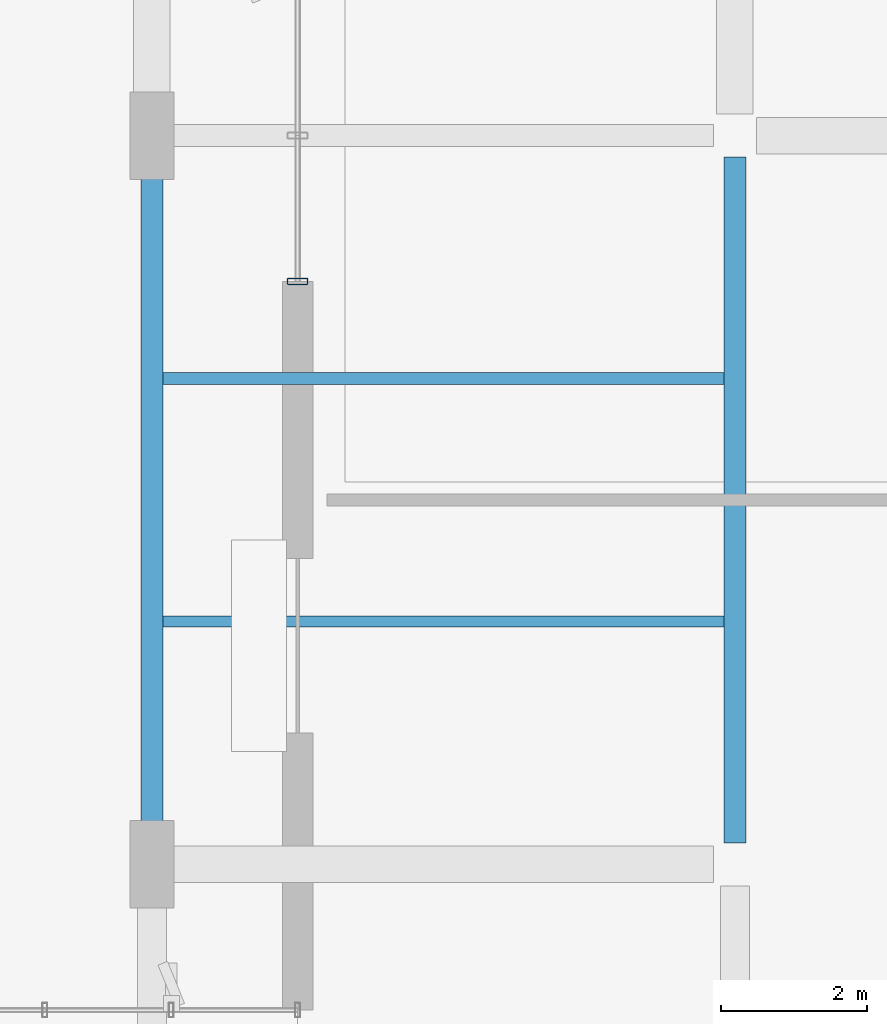
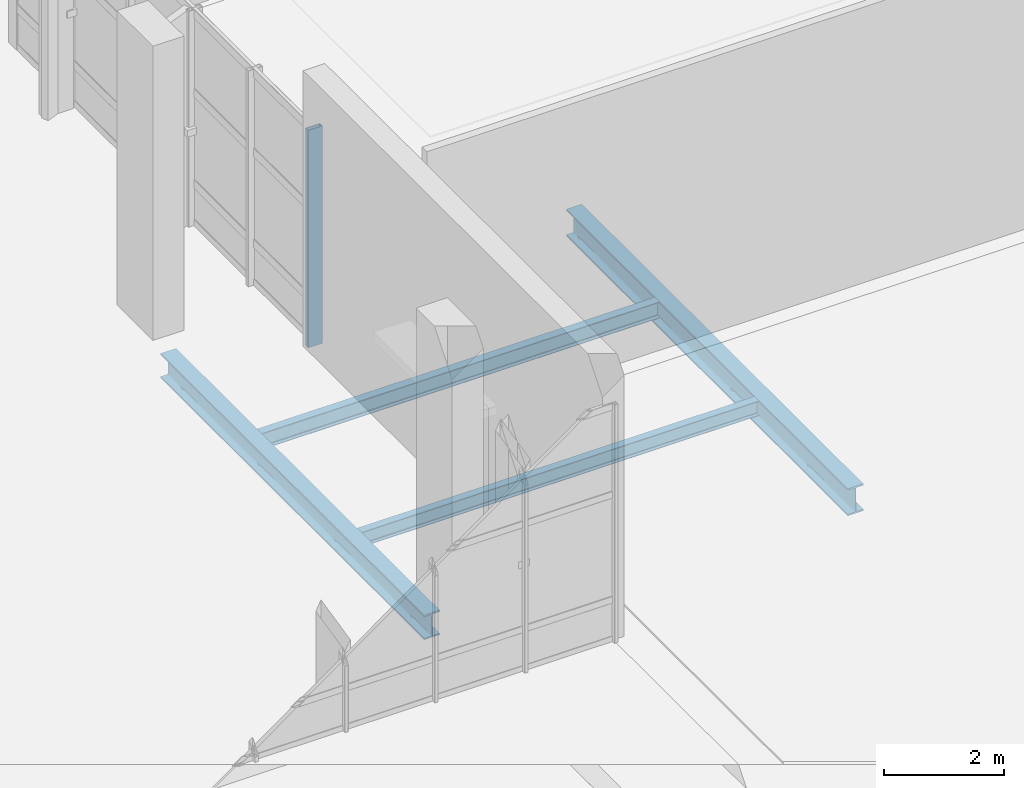
# One storey, part 54 of 163: 4 beams, 1 member, 1 element without a shape of its own.
"""IFC4 building model written with IfcOpenShell, lengths in metres."""

import ifcopenshell
import ifcopenshell.guid

model = None  # the IFC model being written
_history = None  # IfcOwnerHistory: only IFC2X3 demands one
_inside = {}  # id of a spatial element -> (the spatial element, [elements in it])
_under = {}  # id of a project, library or spatial element -> (it, [spatial elements below it])
_declared = {}  # id of a project -> (the project, [libraries it declares])
_typed = {}  # id of a type object -> (the type object, [elements of that type])
_made_of = {}  # id of a material, layer set ... -> (it, [elements and type objects made of it])


def new_model(schema):
    """Start an empty IFC model of exactly this schema.

    Asked for "IFC4X3", IfcOpenShell would pick the latest addendum, in which some entities
    have other attributes; the version numbers below select the first issue.
    IFC2X3 requires an IfcOwnerHistory on every rooted entity: one is made here for all.
    """
    global model, _history
    if schema == "IFC4X3":
        model = ifcopenshell.file(schema_version=(4, 3, 0, 0))
    else:
        model = ifcopenshell.file(schema=schema)
    _inside.clear()
    _under.clear()
    _declared.clear()
    _typed.clear()
    _made_of.clear()
    _history = None
    if model.schema == "IFC2X3":
        org = make("IfcOrganization", Name="unknown")
        user = make(
            "IfcPersonAndOrganization",
            ThePerson=make("IfcPerson", FamilyName="unknown"),
            TheOrganization=org,
        )
        app = make(
            "IfcApplication",
            ApplicationDeveloper=org,
            Version="unknown",
            ApplicationFullName="unknown",
            ApplicationIdentifier="unknown",
        )
        _history = make(
            "IfcOwnerHistory",
            OwningUser=user,
            OwningApplication=app,
            ChangeAction="ADDED",
            CreationDate=0,
        )
    return model


def make(cls, **values):
    """One entity of the class cls with the attributes given. An attribute that is None is left unset."""
    return model.create_entity(
        cls, **{name: value for name, value in values.items() if value is not None}
    )


def rooted(cls, **values):
    """An entity with a GlobalId (a new one), such as an element, a storey or a relation."""
    return make(cls, GlobalId=ifcopenshell.guid.new(), OwnerHistory=_history, **values)


def si_unit(unit_type, name, prefix=None):
    """IfcSIUnit, for example si_unit("LENGTHUNIT", "METRE", prefix="MILLI")."""
    return make("IfcSIUnit", UnitType=unit_type, Prefix=prefix, Name=name)


def assignment(units):
    """IfcUnitAssignment: the units of a project."""
    return None if units is None else make("IfcUnitAssignment", Units=units)


def point(xyz):
    """IfcCartesianPoint."""
    return None if xyz is None else make("IfcCartesianPoint", Coordinates=xyz)


def direction(xyz):
    """IfcDirection."""
    return None if xyz is None else make("IfcDirection", DirectionRatios=xyz)


def frame(location, z_axis=None, x_axis=None):
    """IfcAxis2Placement3D, a coordinate frame: its origin and axes. An axis left out is left unset."""
    return make(
        "IfcAxis2Placement3D",
        Location=point(location),
        Axis=direction(z_axis),
        RefDirection=direction(x_axis),
    )


def frame_2d(location, x_axis=None):
    """IfcAxis2Placement2D, a coordinate frame in the plane: its origin and x axis."""
    return make(
        "IfcAxis2Placement2D", Location=point(location), RefDirection=direction(x_axis)
    )


def origin():
    """The frame at (0, 0, 0) with its axes left unset."""
    return frame((0.0, 0.0, 0.0))


def origin_2d():
    """The frame at (0, 0) in the plane with its x axis left unset."""
    return frame_2d((0.0, 0.0))


def place(relative_to, where):
    """IfcLocalPlacement: puts the frame where relative to a parent placement (None: the world)."""
    return make(
        "IfcLocalPlacement", PlacementRelTo=relative_to, RelativePlacement=where
    )


def context(
    kind, dimensions, precision=None, world=None, true_north=None, identifier=None
):
    """IfcGeometricRepresentationContext, for example the 3D "Model" context."""
    return make(
        "IfcGeometricRepresentationContext",
        ContextIdentifier=identifier,
        ContextType=kind,
        CoordinateSpaceDimension=dimensions,
        Precision=precision,
        WorldCoordinateSystem=world,
        TrueNorth=true_north,
    )


def subcontext(parent, identifier, kind, view, scale=None):
    """IfcGeometricRepresentationSubContext, for example "Body" below "Model"."""
    return make(
        "IfcGeometricRepresentationSubContext",
        ContextIdentifier=identifier,
        ContextType=kind,
        ParentContext=parent,
        TargetScale=scale,
        TargetView=view,
    )


def project(units=None, contexts=None):
    """IfcProject with its units and contexts."""
    return rooted(
        "IfcProject",
        Name="project",
        RepresentationContexts=contexts,
        UnitsInContext=assignment(units),
    )


def spatial(cls, under=None, at=None, **own):
    """A site, building, storey or space (cls), placed at a placement, below another one or the project."""
    s = rooted(cls, ObjectPlacement=at, **own)
    if under is not None:
        _under.setdefault(under.id(), (under, []))[1].append(s)
    return s


def profile(cls, at=None, kind="AREA", **sizes):
    """A parametric profile (cls). Its sizes go by their IFC names, for example OverallWidth=200.0."""
    return make(cls, ProfileType=kind, Position=at, **sizes)


def hollow_rectangle(**sizes):
    """IfcRectangleHollowProfileDef."""
    return profile("IfcRectangleHollowProfileDef", **sizes)


def i_section(**sizes):
    """IfcIShapeProfileDef."""
    return profile("IfcIShapeProfileDef", **sizes)


def extrude(swept, where, along, depth):
    """IfcExtrudedAreaSolid: the profile swept, set in the frame where, extruded along a direction by depth."""
    return make(
        "IfcExtrudedAreaSolid",
        SweptArea=swept,
        Position=where,
        ExtrudedDirection=direction(along),
        Depth=depth,
    )


def shape(context_of_items, identifier, shape_type, items):
    """IfcShapeRepresentation: the items that make up one representation, for example the "Body"."""
    return make(
        "IfcShapeRepresentation",
        ContextOfItems=context_of_items,
        RepresentationIdentifier=identifier,
        RepresentationType=shape_type,
        Items=items,
    )


def material(Name=None, Category=None):
    """IfcMaterial."""
    return make("IfcMaterial", Name=Name, Category=Category)


def layer(
    of_material, thickness, ventilated=None, Name=None, Category=None, Priority=None
):
    """IfcMaterialLayer: one layer of a wall or slab, of a material (None: an air gap)."""
    return make(
        "IfcMaterialLayer",
        Material=of_material,
        LayerThickness=thickness,
        IsVentilated=ventilated,
        Name=Name,
        Category=Category,
        Priority=Priority,
    )


def layer_set(layers, Name=None):
    """IfcMaterialLayerSet."""
    return make("IfcMaterialLayerSet", MaterialLayers=layers, LayerSetName=Name)


def material_profile(
    of_material, cross_section, Name=None, Category=None, Priority=None
):
    """IfcMaterialProfile: a cross section and its material."""
    return make(
        "IfcMaterialProfile",
        Name=Name,
        Material=of_material,
        Profile=cross_section,
        Priority=Priority,
        Category=Category,
    )


def profile_set(profiles, Name=None, composite=None):
    """IfcMaterialProfileSet."""
    return make(
        "IfcMaterialProfileSet",
        Name=Name,
        MaterialProfiles=profiles,
        CompositeProfile=composite,
    )


def made_of(thing, what):
    """Note that an element or type object is made of a material, layer set ...; save() writes the relation."""
    if what is not None:
        _made_of.setdefault(what.id(), (what, []))[1].append(thing)
    return thing


def type_object(cls, material=None, **own):
    """A type object (cls), such as IfcWallType, which elements share."""
    return made_of(rooted(cls, **own), material)


def element(
    cls,
    number,
    at=None,
    inside=None,
    cuts=None,
    type_object=None,
    material=None,
    context=None,
    identifier="Body",
    shape_type=None,
    held_by="IfcProductDefinitionShape",
    body=None,
    shapes=None,
    **own,
):
    """One element of the class cls, such as IfcWall. Its Tag is "e" and its number.

    at: its placement. inside: the storey or other place that contains it. cuts: it is an
    opening in that element (IfcRelVoidsElement). A single representation is given by context,
    identifier, shape_type and body (its items); several are given by shapes. held_by: the class
    of the entity that holds the representations. save() writes the other relations.
    """
    e = rooted(cls, Tag="e%d" % number, ObjectPlacement=at, **own)
    if body is not None:
        shapes = [shape(context, identifier, shape_type, body)]
    if shapes is not None:
        e.Representation = make(held_by, Representations=shapes)
    if inside is not None:
        _inside.setdefault(inside.id(), (inside, []))[1].append(e)
    if cuts is not None:
        rooted(
            "IfcRelVoidsElement", RelatingBuildingElement=cuts, RelatedOpeningElement=e
        )
    if type_object is not None:
        _typed.setdefault(type_object.id(), (type_object, []))[1].append(e)
    return made_of(e, material)


def aggregate(whole, parts):
    """IfcRelAggregates: a whole, such as a stair, and the parts it consists of."""
    return rooted("IfcRelAggregates", RelatingObject=whole, RelatedObjects=parts)


def save(model, path):
    """Write the relations noted so far, then the file.

    IfcRelAggregates (storeys below a building ...), IfcRelContainedInSpatialStructure (elements
    in a storey), IfcRelDefinesByType, IfcRelAssociatesMaterial and IfcRelDeclares: one each for
    every whole, place, type object, material and project.
    """
    for whole, parts in _under.values():
        aggregate(whole, parts)
    for where, things in _inside.values():
        rooted(
            "IfcRelContainedInSpatialStructure",
            RelatedElements=things,
            RelatingStructure=where,
        )
    for kind, things in _typed.values():
        rooted("IfcRelDefinesByType", RelatedObjects=things, RelatingType=kind)
    for what, things in _made_of.values():
        rooted("IfcRelAssociatesMaterial", RelatedObjects=things, RelatingMaterial=what)
    for by, libraries in _declared.values():
        rooted("IfcRelDeclares", RelatingContext=by, RelatedDefinitions=libraries)
    model.write(path)


model = new_model("IFC4")

# Units and contexts
model_context = context("Model", 3, precision=1e-05, world=origin(), true_north=direction((0.0, 1.0)))
body_context = subcontext(model_context, "Body", "Model", "MODEL_VIEW")
ifc_project = project(units=[si_unit("LENGTHUNIT", "METRE"), si_unit("AREAUNIT", "SQUARE_METRE"), si_unit("VOLUMEUNIT", "CUBIC_METRE"), si_unit("PLANEANGLEUNIT", "RADIAN"), si_unit("MASSUNIT", "GRAM", prefix="KILO")], contexts=[model_context])

# Site, building, storey
site_placement = place(None, origin())
site = spatial("IfcSite", under=ifc_project, at=site_placement, CompositionType="ELEMENT")
building_placement = place(site_placement, origin())
building = spatial("IfcBuilding", under=site, at=building_placement, Name="Khorjan Park Terminus", CompositionType="ELEMENT")
storey_placement = place(building_placement, origin())
storey = spatial("IfcBuildingStorey", under=building, at=storey_placement, Name="L00", CompositionType="ELEMENT", Elevation=0.0)

# Beams
ifc_material_1 = material(Name="Steel S355", Category="steel")
ifc_material_profile_1 = material_profile(ifc_material_1, i_section(OverallWidth=0.3, OverallDepth=0.5, WebThickness=0.0145, FlangeThickness=0.028, FilletRadius=0.027, at=origin_2d()), Name="HEB 500")
ifc_profile_set_1 = profile_set([ifc_material_profile_1], Name="Steel S355")
beam_type_1 = type_object("IfcBeamType", Name="BM-HEB500", PredefinedType="BEAM", material=ifc_profile_set_1)
beam_1_placement = place(storey_placement, frame((48.0, 68.595, -0.57), z_axis=(0.0, 1.0, 0.0), x_axis=(-1.0, 0.0, 0.0)))
element("IfcBeam", 1, at=beam_1_placement, inside=storey, type_object=beam_type_1, Name="Primary floor girder SB-B50 (L00)", PredefinedType="BEAM", context=body_context, shape_type="SweptSolid", body=[
    extrude(i_section(OverallWidth=0.3, OverallDepth=0.5, WebThickness=0.0145, FlangeThickness=0.028, FilletRadius=0.027, at=origin_2d()), origin(), (0.0, 0.0, 1.0), 8.81),
])
ifc_material_profile_2 = material_profile(ifc_material_1, i_section(OverallWidth=0.3, OverallDepth=0.55, WebThickness=0.015, FlangeThickness=0.029, FilletRadius=0.027, at=origin_2d()), Name="HEB 550")
ifc_profile_set_2 = profile_set([ifc_material_profile_2], Name="Steel S355")
beam_type_2 = type_object("IfcBeamType", Name="BM-HEB550", PredefinedType="BEAM", material=ifc_profile_set_2)
beam_2_placement = place(storey_placement, frame((56.0, 68.295, -0.635), z_axis=(0.0, 1.0, 0.0), x_axis=(-1.0, 0.0, 0.0)))
element("IfcBeam", 2, at=beam_2_placement, inside=storey, type_object=beam_type_2, Name="Primary floor girder SB-B55 (L00)", PredefinedType="BEAM", context=body_context, shape_type="SweptSolid", body=[
    extrude(i_section(OverallWidth=0.3, OverallDepth=0.55, WebThickness=0.015, FlangeThickness=0.029, FilletRadius=0.027, at=origin_2d()), origin(), (0.0, 0.0, 1.0), 9.41),
])
ifc_material_profile_3 = material_profile(ifc_material_1, i_section(OverallWidth=0.15, OverallDepth=0.3, WebThickness=0.0071, FlangeThickness=0.0107, FilletRadius=0.015, at=origin_2d()), Name="IPE 300")
ifc_profile_set_3 = profile_set([ifc_material_profile_3], Name="Steel S355")
beam_type_3 = type_object("IfcBeamType", Name="JS-IPE300", PredefinedType="JOIST", material=ifc_profile_set_3)
beam_3_placement = place(storey_placement, frame((48.15, 71.3333, -0.51), z_axis=(1.0, 0.0, 0.0), x_axis=(0.0, 1.0, 0.0)))
element("IfcBeam", 3, at=beam_3_placement, inside=storey, type_object=beam_type_3, Name="Secondary composite floor joist SJ-30 (L00)", PredefinedType="JOIST", context=body_context, shape_type="SweptSolid", body=[
    extrude(i_section(OverallWidth=0.15, OverallDepth=0.3, WebThickness=0.0071, FlangeThickness=0.0107, FilletRadius=0.015, at=origin_2d()), origin(), (0.0, 0.0, 1.0), 7.7),
])
ifc_material_profile_4 = material_profile(ifc_material_1, i_section(OverallWidth=0.16, OverallDepth=0.33, WebThickness=0.0075, FlangeThickness=0.0115, FilletRadius=0.018, at=origin_2d()), Name="IPE 330")
ifc_profile_set_4 = profile_set([ifc_material_profile_4], Name="Steel S355")
beam_type_4 = type_object("IfcBeamType", Name="JS-IPE330", PredefinedType="JOIST", material=ifc_profile_set_4)
beam_4_placement = place(storey_placement, frame((48.15, 74.6667, -0.525), z_axis=(1.0, 0.0, 0.0), x_axis=(0.0, 1.0, 0.0)))
element("IfcBeam", 4, at=beam_4_placement, inside=storey, type_object=beam_type_4, Name="Secondary composite floor joist SJ-33 (L00)", PredefinedType="JOIST", context=body_context, shape_type="SweptSolid", body=[
    extrude(i_section(OverallWidth=0.16, OverallDepth=0.33, WebThickness=0.0075, FlangeThickness=0.0115, FilletRadius=0.018, at=origin_2d()), origin(), (0.0, 0.0, 1.0), 7.7),
])

# Curtain wall, member
ifc_material_2 = material(Name="Anodized Bronze Aluminium", Category="aluminium")
ifc_layer = layer(ifc_material_2, 0.22)
ifc_layer_set = layer_set([ifc_layer], Name="Anodized Bronze Aluminium")
curtain_wall_type = type_object("IfcCurtainWallType", Name="CW-CONC-A", PredefinedType="NOTDEFINED", material=ifc_layer_set)
curtain_wall_placement = place(storey_placement, origin())
curtain_wall = element("IfcCurtainWall", 5, at=curtain_wall_placement, inside=storey, type_object=curtain_wall_type, Name="Unitized curtain wall CW-A (CW-V2-W-L00-05)", PredefinedType="NOTDEFINED")
ifc_material_profile_5 = material_profile(ifc_material_2, hollow_rectangle(XDim=0.09, YDim=0.28, WallThickness=0.006, InnerFilletRadius=0.006, OuterFilletRadius=0.012, at=origin_2d()), Name="ALM 90x280x6")
ifc_profile_set_5 = profile_set([ifc_material_profile_5], Name="Anodized Bronze Aluminium")
member_type = type_object("IfcMemberType", Name="ML-ALM-280", PredefinedType="MULLION", material=ifc_profile_set_5)
member_placement = place(storey_placement, frame((50.0, 76.0, -0.035), z_axis=(0.0, 0.0, 1.0), x_axis=(0.0, -1.0, 0.0)))
member = element("IfcMember", 6, at=member_placement, type_object=member_type, Name="Curtain-wall mullion ML-28 (CW-V2-W-L00-05-5)", PredefinedType="MULLION", context=body_context, shape_type="SweptSolid", body=[
    extrude(hollow_rectangle(XDim=0.09, YDim=0.28, WallThickness=0.006, InnerFilletRadius=0.006, OuterFilletRadius=0.012, at=origin_2d()), origin(), (0.0, 0.0, 1.0), 4.435),
])
aggregate(curtain_wall, [member])

save(model, "model.ifc")
